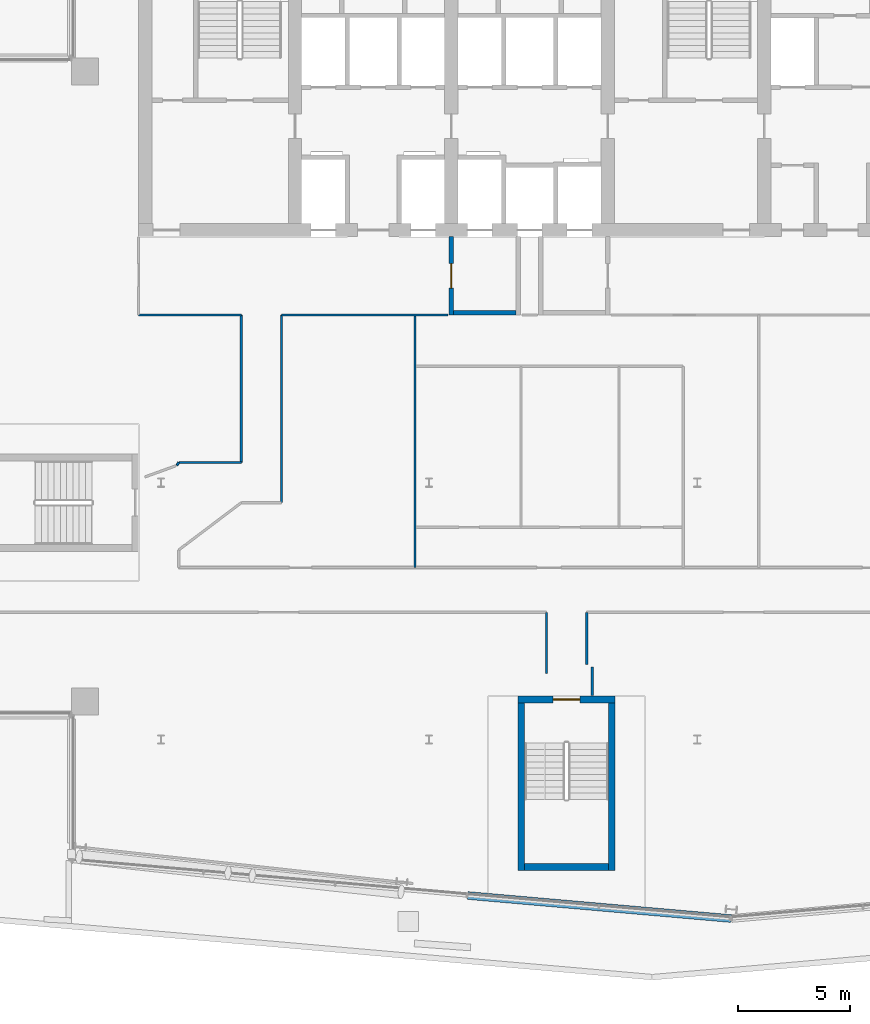
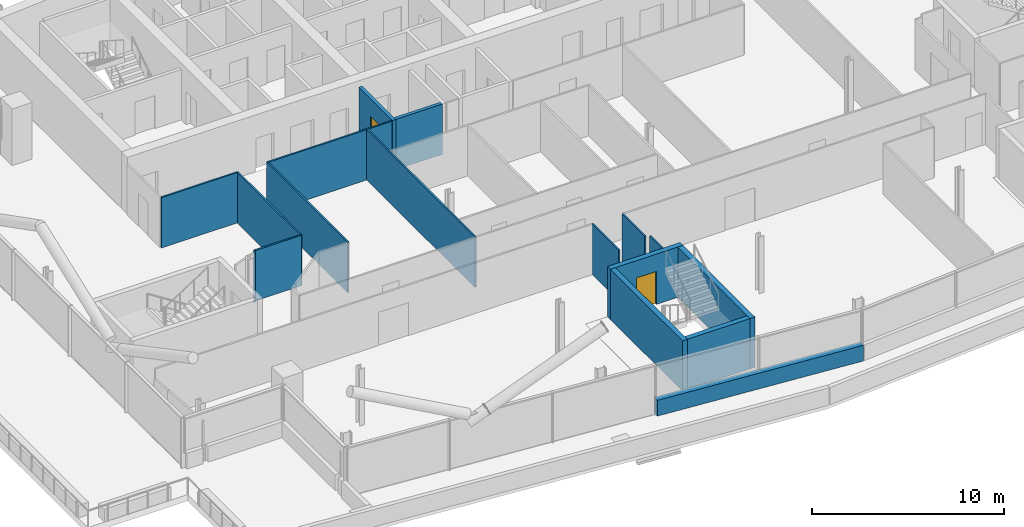
# One storey, part 13 of 27: 17 walls, 2 doors, 2 openings.
"""IFC4 building model written with IfcOpenShell, lengths in metres."""

from ifc_helpers import new_model, si_unit, direction, frame, frame_2d, origin, place, context, subcontext, project, spatial, rectangle, extrude, material, layer, layer_set, type_object, element, fill, save


model = new_model("IFC4")

# Units and contexts
model_context = context("Model", 3, precision=1e-05, world=origin(), true_north=direction((0.0, 1.0)))
body_context = subcontext(model_context, "Body", "Model", "MODEL_VIEW")
ifc_project = project(units=[si_unit("LENGTHUNIT", "METRE"), si_unit("AREAUNIT", "SQUARE_METRE"), si_unit("VOLUMEUNIT", "CUBIC_METRE"), si_unit("PLANEANGLEUNIT", "RADIAN"), si_unit("MASSUNIT", "GRAM", prefix="KILO")], contexts=[model_context])

# Site, building, storey
site_placement = place(None, origin())
site = spatial("IfcSite", under=ifc_project, at=site_placement, CompositionType="ELEMENT")
building_placement = place(site_placement, origin())
building = spatial("IfcBuilding", under=site, at=building_placement, Name="Wharfspan Tower", CompositionType="ELEMENT")
storey_placement = place(building_placement, frame((0.0, 0.0, 207.100098)))
storey = spatial("IfcBuildingStorey", under=building, at=storey_placement, Name="L51", CompositionType="ELEMENT", Elevation=207.100098)

# Walls
ifc_material_1 = material(Name="Gypsum board on steel studs", Category="steel")
ifc_layer_1 = layer(ifc_material_1, 0.100098)
ifc_layer_set_1 = layer_set([ifc_layer_1], Name="Gypsum board on steel studs")
wall_type_1 = type_object("IfcWallType", Name="Compartment wall 100 EI 60", PredefinedType="PARTITIONING", material=ifc_layer_set_1)
wall_1_placement = place(storey_placement, frame((23.0, 30.5, 0.0), z_axis=(0.0, 0.0, 1.0), x_axis=(1.0, 0.0, 0.0)))
element("IfcWall", 1, at=wall_1_placement, inside=storey, type_object=wall_type_1, Name="Partition L51.w008", PredefinedType="PARTITIONING", context=body_context, shape_type="SweptSolid", body=[
    extrude(rectangle(XDim=4.600098, YDim=0.100098, at=frame_2d((2.300049, 0.0))), origin(), (0.0, 0.0, 1.0), 3.199951),
])
wall_2_placement = place(storey_placement, frame((24.719971, 23.77002, 0.0), z_axis=(0.0, 0.0, 1.0), x_axis=(0.524813, 0.851221, 0.0)))
element("IfcWall", 2, at=wall_2_placement, inside=storey, type_object=wall_type_1, Name="Partition L51.w010", PredefinedType="PARTITIONING", context=body_context, shape_type="SweptSolid", body=[
    extrude(rectangle(XDim=0.152588, YDim=0.100098, at=frame_2d((0.076172, 0.0))), origin(), (0.0, 0.0, 1.0), 3.199951),
])
wall_3_placement = place(storey_placement, frame((24.800049, 23.899902, 0.0), z_axis=(0.0, 0.0, 1.0), x_axis=(1.0, 0.0, 0.0)))
element("IfcWall", 3, at=wall_3_placement, inside=storey, type_object=wall_type_1, Name="Partition L51.w013", PredefinedType="PARTITIONING", context=body_context, shape_type="SweptSolid", body=[
    extrude(rectangle(XDim=2.800049, YDim=0.100098, at=frame_2d((1.399902, 0.0))), origin(), (0.0, 0.0, 1.0), 3.199951),
])
wall_4_placement = place(storey_placement, frame((27.600098, 23.899902, 0.0), z_axis=(0.0, 0.0, 1.0), x_axis=(0.0, 1.0, 0.0)))
element("IfcWall", 4, at=wall_4_placement, inside=storey, type_object=wall_type_1, Name="Partition L51.w016", PredefinedType="PARTITIONING", context=body_context, shape_type="SweptSolid", body=[
    extrude(rectangle(XDim=6.600098, YDim=0.100098, at=frame_2d((3.300049, 0.0))), origin(), (0.0, 0.0, 1.0), 3.199951),
])
wall_5_placement = place(storey_placement, frame((29.399902, 22.100098, 0.0), z_axis=(0.0, 0.0, 1.0), x_axis=(0.0, 1.0, 0.0)))
element("IfcWall", 5, at=wall_5_placement, inside=storey, type_object=wall_type_1, Name="Partition L51.w018", PredefinedType="PARTITIONING", context=body_context, shape_type="SweptSolid", body=[
    extrude(rectangle(XDim=8.399902, YDim=0.100098, at=frame_2d((4.199951, 0.0))), origin(), (0.0, 0.0, 1.0), 3.199951),
])
wall_6_placement = place(storey_placement, frame((29.399902, 30.5, 0.0), z_axis=(0.0, 0.0, 1.0), x_axis=(1.0, 0.0, 0.0)))
element("IfcWall", 6, at=wall_6_placement, inside=storey, type_object=wall_type_1, Name="Partition L51.w019", PredefinedType="PARTITIONING", context=body_context, shape_type="SweptSolid", body=[
    extrude(rectangle(XDim=7.450195, YDim=0.100098, at=frame_2d((3.725098, 0.0))), origin(), (0.0, 0.0, 1.0), 3.199951),
])
wall_7_placement = place(storey_placement, frame((35.375, 19.205078, 0.0), z_axis=(0.0, 0.0, 1.0), x_axis=(0.0, 1.0, 0.0)))
element("IfcWall", 7, at=wall_7_placement, inside=storey, type_object=wall_type_1, Name="Partition L51.w021", PredefinedType="PARTITIONING", context=body_context, shape_type="SweptSolid", body=[
    extrude(rectangle(XDim=11.294922, YDim=0.100098, at=frame_2d((5.647461, 0.0))), origin(), (0.0, 0.0, 1.0), 3.199951),
])
wall_8_placement = place(storey_placement, frame((41.25, 14.443115, 0.0), z_axis=(0.0, 0.0, 1.0), x_axis=(0.0, 1.0, 0.0)))
element("IfcWall", 8, at=wall_8_placement, inside=storey, type_object=wall_type_1, Name="Partition L51.w025", PredefinedType="PARTITIONING", context=body_context, shape_type="SweptSolid", body=[
    extrude(rectangle(XDim=2.751953, YDim=0.100098, at=frame_2d((1.375977, 0.0))), origin(), (0.0, 0.0, 1.0), 3.199951),
])
wall_9_placement = place(storey_placement, frame((43.054932, 14.860107, 0.0), z_axis=(0.0, 0.0, 1.0), x_axis=(0.0, 1.0, 0.0)))
element("IfcWall", 9, at=wall_9_placement, inside=storey, type_object=wall_type_1, Name="Partition L51.w026", PredefinedType="PARTITIONING", context=body_context, shape_type="SweptSolid", body=[
    extrude(rectangle(XDim=2.334961, YDim=0.100098, at=frame_2d((1.16748, 0.0))), origin(), (0.0, 0.0, 1.0), 3.199951),
])
wall_10_placement = place(storey_placement, frame((43.304932, 13.463135, 0.0), z_axis=(0.0, 0.0, 1.0), x_axis=(0.0, 1.0, 0.0)))
element("IfcWall", 10, at=wall_10_placement, inside=storey, type_object=wall_type_1, Name="Partition L51.w028", PredefinedType="PARTITIONING", context=body_context, shape_type="SweptSolid", body=[
    extrude(rectangle(XDim=1.281982, YDim=0.100098, at=frame_2d((0.641113, 0.0))), origin(), (0.0, 0.0, 1.0), 3.199951),
])

# Wall, opening, door
ifc_material_2 = material(Name="Concrete C30/37", Category="concrete")
ifc_layer_2 = layer(ifc_material_2, 0.199951)
ifc_layer_set_2 = layer_set([ifc_layer_2], Name="Concrete C30/37")
wall_type_2 = type_object("IfcWallType", Name="Lobby wall 200", PredefinedType="PARTITIONING", material=ifc_layer_set_2)
wall_11_placement = place(storey_placement, frame((37.0, 30.5, 0.0), z_axis=(0.0, 0.0, 1.0), x_axis=(0.0, 1.0, 0.0)))
wall_11 = element("IfcWall", 11, at=wall_11_placement, inside=storey, type_object=wall_type_2, Name="sw:L51:FLFF1W", PredefinedType="PARTITIONING", context=body_context, shape_type="SweptSolid", body=[
    extrude(rectangle(XDim=3.5, YDim=0.199951, at=frame_2d((1.75, 0.0))), origin(), (0.0, 0.0, 1.0), 3.199951),
])
opening_1_placement = place(wall_11_placement, frame((1.199951, 0.0, 0.0)))
opening_1 = element("IfcOpeningElement", 12, at=opening_1_placement, cuts=wall_11, Name="Opening FL.FF1.L51", PredefinedType="OPENING", context=body_context, shape_type="SweptSolid", body=[
    extrude(rectangle(XDim=1.100098, YDim=2.100098, at=frame_2d((0.550049, 1.050049))), frame((0.0, 0.109863, 0.0), z_axis=(0.0, -1.0, 0.0), x_axis=(1.0, 0.0, 0.0)), (0.0, 0.0, 1.0), 0.219971),
])
ifc_material_3 = material(Name="Steel door leaf", Category="steel")
door_type_1 = type_object("IfcDoorType", Name="Firefighting lobby door 1100x2100", OperationType="SINGLE_SWING_LEFT", PredefinedType="DOOR", material=ifc_material_3)
door_1_placement = place(opening_1_placement, origin())
door_1 = element("IfcDoor", 13, at=door_1_placement, inside=storey, type_object=door_type_1, Name="fd:L51:FF1", OperationType="SINGLE_SWING_LEFT", OverallHeight=2.100098, OverallWidth=1.100098, PredefinedType="DOOR", context=body_context, shape_type="SweptSolid", body=[
    extrude(rectangle(XDim=1.100098, YDim=2.100098, at=frame_2d((0.550049, 1.050049))), frame((0.0, 0.024902, 0.0), z_axis=(0.0, -1.0, 0.0), x_axis=(1.0, 0.0, 0.0)), (0.0, 0.0, 1.0), 0.050049),
])
fill(opening_1, door_1)

# Walls
wall_12_placement = place(storey_placement, frame((37.100098, 30.600098, 0.0), z_axis=(0.0, 0.0, 1.0), x_axis=(1.0, 0.0, 0.0)))
element("IfcWall", 14, at=wall_12_placement, inside=storey, type_object=wall_type_2, Name="sw:L51:FLFF1F", PredefinedType="PARTITIONING", context=body_context, shape_type="SweptSolid", body=[
    extrude(rectangle(XDim=2.799805, YDim=0.199951, at=frame_2d((1.399902, 0.0))), origin(), (0.0, 0.0, 1.0), 3.199951),
])
ifc_material_4 = material(Name="Concrete C40/50", Category="concrete")
ifc_layer_3 = layer(ifc_material_4, 0.350098)
ifc_layer_set_3 = layer_set([ifc_layer_3], Name="Concrete C40/50")
wall_type_3 = type_object("IfcWallType", Name="SPANDREL EXPOSED CONCRETE 350", PredefinedType="SOLIDWALL", material=ifc_layer_set_3)
wall_13_placement = place(storey_placement, frame((37.729492, 4.519043, 0.0), z_axis=(0.0, 0.0, 1.0), x_axis=(0.99619, -0.087167, 0.0)))
element("IfcWall", 15, at=wall_13_placement, inside=storey, type_object=wall_type_3, Name="Spandrel upstand L51 S1", PredefinedType="SOLIDWALL", context=body_context, shape_type="SweptSolid", body=[
    extrude(rectangle(XDim=11.830566, YDim=0.350098, at=frame_2d((5.915283, 0.0))), origin(), (0.0, 0.0, 1.0), 1.0),
])

# Wall, opening, door
ifc_layer_4 = layer(ifc_material_4, 0.300049)
ifc_layer_set_4 = layer_set([ifc_layer_4], Name="Concrete C40/50")
wall_type_4 = type_object("IfcWallType", Name="Stair core wall 300", PredefinedType="SHEAR", material=ifc_layer_set_4)
wall_14_placement = place(storey_placement, frame((39.977051, 13.293213, 0.0), z_axis=(0.0, 0.0, 1.0), x_axis=(1.0, 0.0, 0.0)))
wall_14 = element("IfcWall", 16, at=wall_14_placement, inside=storey, type_object=wall_type_4, Name="ST4 stair enclosure wall L51", PredefinedType="SHEAR", context=body_context, shape_type="SweptSolid", body=[
    extrude(rectangle(XDim=4.350098, YDim=0.300049, at=frame_2d((2.175049, 0.0))), origin(), (0.0, 0.0, 1.0), 3.199951),
])
opening_2_placement = place(wall_14_placement, frame((1.574951, 0.0, 0.0)))
opening_2 = element("IfcOpeningElement", 17, at=opening_2_placement, cuts=wall_14, Name="Opening SD4.L51", PredefinedType="OPENING", context=body_context, shape_type="SweptSolid", body=[
    extrude(rectangle(XDim=1.199951, YDim=2.100098, at=frame_2d((0.600098, 1.050049))), frame((0.0, 0.159912, 0.0), z_axis=(0.0, -1.0, 0.0), x_axis=(1.0, 0.0, 0.0)), (0.0, 0.0, 1.0), 0.320068),
])
door_type_2 = type_object("IfcDoorType", Name="Stair door 1200x2100", OperationType="SINGLE_SWING_LEFT", PredefinedType="DOOR", material=ifc_material_3)
door_2_placement = place(opening_2_placement, origin())
door_2 = element("IfcDoor", 18, at=door_2_placement, inside=storey, type_object=door_type_2, Name="sd:L51:ST4z4", OperationType="SINGLE_SWING_RIGHT", OverallHeight=2.100098, OverallWidth=1.199951, PredefinedType="DOOR", context=body_context, shape_type="SweptSolid", body=[
    extrude(rectangle(XDim=1.199951, YDim=2.100098, at=frame_2d((0.600098, 1.050049))), frame((0.0, 0.024902, 0.0), z_axis=(0.0, -1.0, 0.0), x_axis=(1.0, 0.0, 0.0)), (0.0, 0.0, 1.0), 0.050049),
])
fill(opening_2, door_2)

# Walls
for number, where, z_axis, x_axis, name in (
    (19, (40.127197, 5.643311, 0.0), (0.0, 0.0, 1.0), (0.0, 1.0, 0.0), "ST4 stair enclosure wall L51"),
    (20, (44.177002, 5.643311, 0.0), (0.0, 0.0, 1.0), (0.0, 1.0, 0.0), "ST4 stair enclosure wall L51"),
):
    element("IfcWall", number, at=place(storey_placement, frame(where, z_axis=z_axis, x_axis=x_axis)), inside=storey, type_object=wall_type_4, Name=name, PredefinedType="SHEAR", context=body_context, shape_type="SweptSolid", body=[
        extrude(rectangle(XDim=7.5, YDim=0.300049, at=frame_2d((3.75, 0.0))), origin(), (0.0, 0.0, 1.0), 3.199951),
    ])
wall_15_placement = place(storey_placement, frame((40.2771, 5.793213, 0.0), z_axis=(0.0, 0.0, 1.0), x_axis=(1.0, 0.0, 0.0)))
element("IfcWall", 21, at=wall_15_placement, inside=storey, type_object=wall_type_4, Name="ST4 stair enclosure wall L51", PredefinedType="SHEAR", context=body_context, shape_type="SweptSolid", body=[
    extrude(rectangle(XDim=3.75, YDim=0.300049, at=frame_2d((1.875, 0.0))), origin(), (0.0, 0.0, 1.0), 3.199951),
])

save(model, "model.ifc")
